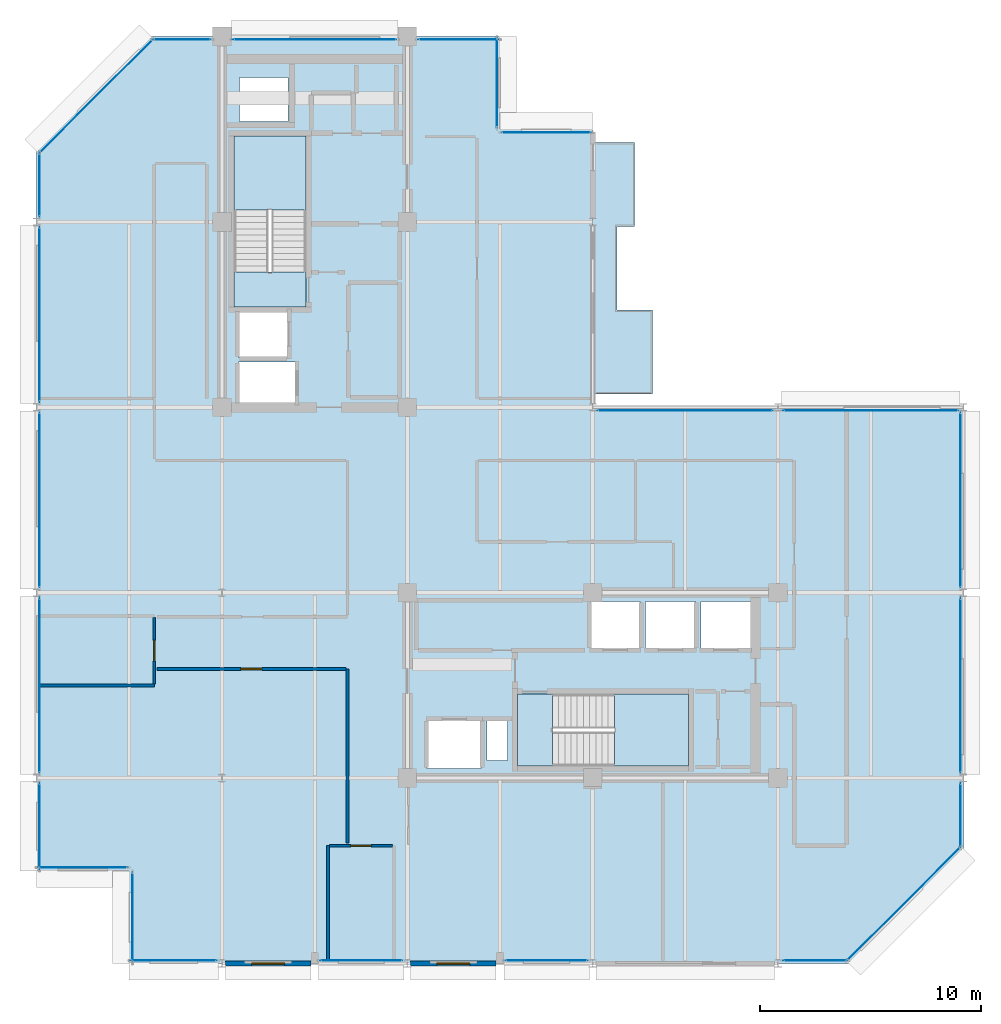
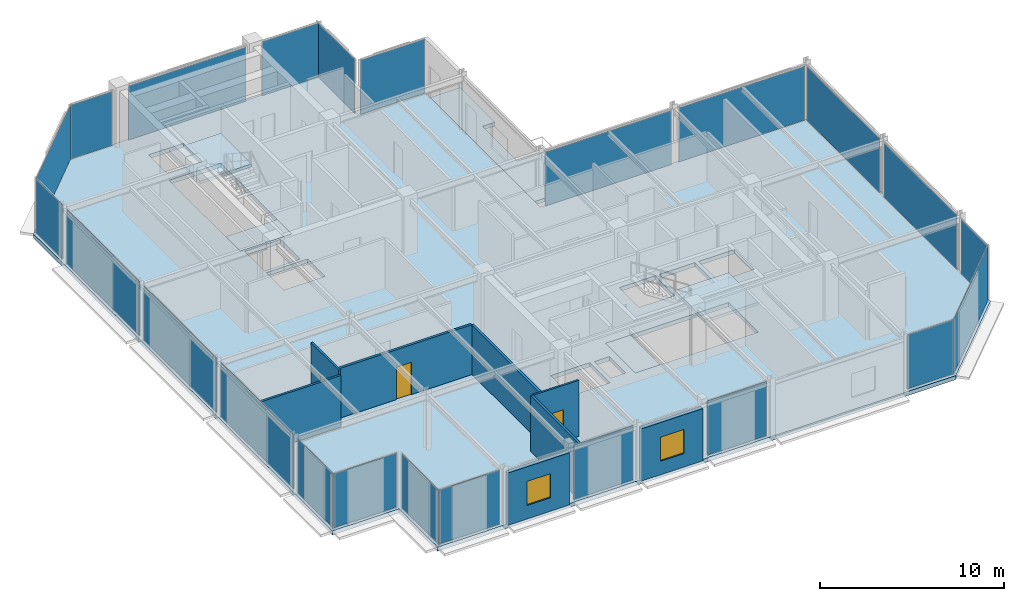
# One storey, part 20 of 27: 23 plates, 8 walls, 6 slabs, 3 doors, 2 windows, 5 openings, 25 elements without a shape of their own.
"""IFC4 building model written with IfcOpenShell, lengths in metres."""

from ifc_helpers import new_model, si_unit, direction, frame, frame_2d, origin, origin_2d, place, context, subcontext, project, spatial, polyline, rectangle, outline, extrude, material, layer, layer_set, type_object, element, fill, aggregate, save


model = new_model("IFC4")

# Units and contexts
model_context = context("Model", 3, precision=1e-05, world=origin(), true_north=direction((0.0, 1.0)))
body_context = subcontext(model_context, "Body", "Model", "MODEL_VIEW")
ifc_project = project(units=[si_unit("LENGTHUNIT", "METRE"), si_unit("AREAUNIT", "SQUARE_METRE"), si_unit("VOLUMEUNIT", "CUBIC_METRE"), si_unit("PLANEANGLEUNIT", "RADIAN"), si_unit("MASSUNIT", "GRAM", prefix="KILO")], contexts=[model_context])

# Site, building, storey
site_placement = place(None, origin())
site = spatial("IfcSite", under=ifc_project, at=site_placement, CompositionType="ELEMENT")
building_placement = place(site_placement, origin())
building = spatial("IfcBuilding", under=site, at=building_placement, Name="Nerrivon Quay Data Exchange", CompositionType="ELEMENT")
storey_placement = place(building_placement, frame((0.0, 0.0, 266.199951171875)))
storey = spatial("IfcBuildingStorey", under=building, at=storey_placement, Name="L63", CompositionType="ELEMENT", Elevation=266.199951171875)

# Curtain wall, plate
ifc_material_1 = material(Name="Anodised aluminium 6063-T6", Category="aluminium")
ifc_layer_1 = layer(ifc_material_1, 0.195068359375)
ifc_layer_set_1 = layer_set([ifc_layer_1], Name="Anodised aluminium 6063-T6")
curtain_wall_type = type_object("IfcCurtainWallType", Name="CW-SYS-06", PredefinedType="NOTDEFINED", material=ifc_layer_set_1)
curtain_wall_1_placement = place(storey_placement, origin())
curtain_wall_1 = element("IfcCurtainWall", 1, at=curtain_wall_1_placement, inside=storey, type_object=curtain_wall_type, Name="L63 Unitised Curtain Wall 1", PredefinedType="NOTDEFINED")
ifc_material_2 = material(Name="Double-glazed low-E solar control glass", Category="glass")
ifc_layer_2 = layer(ifc_material_2, 0.028076171875)
ifc_layer_set_2 = layer_set([ifc_layer_2], Name="Double-glazed low-E solar control glass")
plate_type = type_object("IfcPlateType", Name="CWP-GLZ-28", PredefinedType="CURTAIN_PANEL", material=ifc_layer_set_2)
plate_1_placement = place(storey_placement, frame((39.301025390625, 2.698974609375, 0.06494140625), z_axis=(0.0, 0.0, 1.0), x_axis=(-0.707106781187, -0.707106781187, 0.0)))
plate_1 = element("IfcPlate", 2, at=plate_1_placement, type_object=plate_type, Name="CW06 panel 1.1", PredefinedType="CURTAIN_PANEL", context=body_context, shape_type="SweptSolid", body=[
    extrude(rectangle(XDim=7.203857421875, YDim=0.028076171875, at=origin_2d()), origin(), (0.0, 0.0, 1.0), 3.594970703125),
])
aggregate(curtain_wall_1, [plate_1])

curtain_wall_2_placement = place(storey_placement, origin())
curtain_wall_2 = element("IfcCurtainWall", 3, at=curtain_wall_2_placement, inside=storey, type_object=curtain_wall_type, Name="L63 Unitised Curtain Wall 2", PredefinedType="NOTDEFINED")
plate_2_placement = place(storey_placement, frame((35.27783203125, 0.139892578125, 0.06494140625), z_axis=(0.0, 0.0, 1.0), x_axis=(-1.0, 0.0, 0.0)))
plate_2 = element("IfcPlate", 4, at=plate_2_placement, type_object=plate_type, Name="CW06 panel 1.1", PredefinedType="CURTAIN_PANEL", context=body_context, shape_type="SweptSolid", body=[
    extrude(rectangle(XDim=2.89453125, YDim=0.028076171875, at=origin_2d()), origin(), (0.0, 0.0, 1.0), 3.594970703125),
])
aggregate(curtain_wall_2, [plate_2])

curtain_wall_3_placement = place(storey_placement, origin())
curtain_wall_3 = element("IfcCurtainWall", 5, at=curtain_wall_3_placement, inside=storey, type_object=curtain_wall_type, Name="L63 Unitised Curtain Wall 4", PredefinedType="NOTDEFINED")
plate_3_placement = place(storey_placement, frame((23.10986328125, 0.139892578125, 0.06494140625), z_axis=(0.0, 0.0, 1.0), x_axis=(-1.0, 0.0, 0.0)))
plate_3 = element("IfcPlate", 6, at=plate_3_placement, type_object=plate_type, Name="CW06 panel 1.1", PredefinedType="CURTAIN_PANEL", context=body_context, shape_type="SweptSolid", body=[
    extrude(rectangle(XDim=3.719482421875, YDim=0.028076171875, at=origin_2d()), origin(), (0.0, 0.0, 1.0), 3.594970703125),
])
aggregate(curtain_wall_3, [plate_3])

curtain_wall_4_placement = place(storey_placement, origin())
curtain_wall_4 = element("IfcCurtainWall", 7, at=curtain_wall_4_placement, inside=storey, type_object=curtain_wall_type, Name="L63 Unitised Curtain Wall 6", PredefinedType="NOTDEFINED")
plate_4_placement = place(storey_placement, frame((14.709716796875, 0.139892578125, 0.06494140625), z_axis=(0.0, 0.0, 1.0), x_axis=(-1.0, 0.0, 0.0)))
plate_4 = element("IfcPlate", 8, at=plate_4_placement, type_object=plate_type, Name="CW06 panel 1.1", PredefinedType="CURTAIN_PANEL", context=body_context, shape_type="SweptSolid", body=[
    extrude(rectangle(XDim=3.719482421875, YDim=0.028076171875, at=origin_2d()), origin(), (0.0, 0.0, 1.0), 3.594970703125),
])
aggregate(curtain_wall_4, [plate_4])

curtain_wall_5_placement = place(storey_placement, origin())
curtain_wall_5 = element("IfcCurtainWall", 9, at=curtain_wall_5_placement, inside=storey, type_object=curtain_wall_type, Name="L63 Unitised Curtain Wall 8", PredefinedType="NOTDEFINED")
plate_5_placement = place(storey_placement, frame((6.22216796875, 0.139892578125, 0.06494140625), z_axis=(0.0, 0.0, 1.0), x_axis=(-1.0, 0.0, 0.0)))
plate_5 = element("IfcPlate", 10, at=plate_5_placement, type_object=plate_type, Name="CW06 panel 1.1", PredefinedType="CURTAIN_PANEL", context=body_context, shape_type="SweptSolid", body=[
    extrude(rectangle(XDim=3.89453125, YDim=0.028076171875, at=origin_2d()), origin(), (0.0, 0.0, 1.0), 3.594970703125),
])
aggregate(curtain_wall_5, [plate_5])

curtain_wall_6_placement = place(storey_placement, origin())
curtain_wall_6 = element("IfcCurtainWall", 11, at=curtain_wall_6_placement, inside=storey, type_object=curtain_wall_type, Name="L63 Unitised Curtain Wall 9", PredefinedType="NOTDEFINED")
plate_6_placement = place(storey_placement, frame((4.340087890625, 2.10009765625, 0.06494140625), z_axis=(0.0, 0.0, 1.0), x_axis=(0.0, 1.0, 0.0)))
plate_6 = element("IfcPlate", 12, at=plate_6_placement, type_object=plate_type, Name="CW06 panel 1.1", PredefinedType="CURTAIN_PANEL", context=body_context, shape_type="SweptSolid", body=[
    extrude(rectangle(XDim=4.050048828125, YDim=0.028076171875, at=origin_2d()), origin(), (0.0, 0.0, 1.0), 3.594970703125),
])
aggregate(curtain_wall_6, [plate_6])

curtain_wall_7_placement = place(storey_placement, origin())
curtain_wall_7 = element("IfcCurtainWall", 13, at=curtain_wall_7_placement, inside=storey, type_object=curtain_wall_type, Name="L63 Unitised Curtain Wall 10", PredefinedType="NOTDEFINED")
plate_7_placement = place(storey_placement, frame((2.10009765625, 4.340087890625, 0.06494140625), z_axis=(0.0, 0.0, 1.0), x_axis=(-1.0, 0.0, 0.0)))
plate_7 = element("IfcPlate", 14, at=plate_7_placement, type_object=plate_type, Name="CW06 panel 1.1", PredefinedType="CURTAIN_PANEL", context=body_context, shape_type="SweptSolid", body=[
    extrude(rectangle(XDim=4.050048828125, YDim=0.028076171875, at=origin_2d()), origin(), (0.0, 0.0, 1.0), 3.594970703125),
])
aggregate(curtain_wall_7, [plate_7])

curtain_wall_8_placement = place(storey_placement, origin())
curtain_wall_8 = element("IfcCurtainWall", 15, at=curtain_wall_8_placement, inside=storey, type_object=curtain_wall_type, Name="L63 Unitised Curtain Wall 11", PredefinedType="NOTDEFINED")
plate_8_placement = place(storey_placement, frame((0.139892578125, 6.21826171875, 0.06494140625), z_axis=(0.0, 0.0, 1.0), x_axis=(0.0, 1.0, 0.0)))
plate_8 = element("IfcPlate", 16, at=plate_8_placement, type_object=plate_type, Name="CW06 panel 1.1", PredefinedType="CURTAIN_PANEL", context=body_context, shape_type="SweptSolid", body=[
    extrude(rectangle(XDim=3.886474609375, YDim=0.028076171875, at=origin_2d()), origin(), (0.0, 0.0, 1.0), 3.594970703125),
])
aggregate(curtain_wall_8, [plate_8])

curtain_wall_9_placement = place(storey_placement, origin())
curtain_wall_9 = element("IfcCurtainWall", 17, at=curtain_wall_9_placement, inside=storey, type_object=curtain_wall_type, Name="L63 Unitised Curtain Wall 12", PredefinedType="NOTDEFINED")
plate_9_placement = place(storey_placement, frame((0.139892578125, 12.60009765625, 0.06494140625), z_axis=(0.0, 0.0, 1.0), x_axis=(0.0, 1.0, 0.0)))
plate_9 = element("IfcPlate", 18, at=plate_9_placement, type_object=plate_type, Name="CW06 panel 1.1", PredefinedType="CURTAIN_PANEL", context=body_context, shape_type="SweptSolid", body=[
    extrude(rectangle(XDim=7.923095703125, YDim=0.028076171875, at=origin_2d()), origin(), (0.0, 0.0, 1.0), 3.594970703125),
])
aggregate(curtain_wall_9, [plate_9])

curtain_wall_10_placement = place(storey_placement, origin())
curtain_wall_10 = element("IfcCurtainWall", 19, at=curtain_wall_10_placement, inside=storey, type_object=curtain_wall_type, Name="L63 Unitised Curtain Wall 13", PredefinedType="NOTDEFINED")
plate_10_placement = place(storey_placement, frame((0.139892578125, 21.0, 0.06494140625), z_axis=(0.0, 0.0, 1.0), x_axis=(0.0, 1.0, 0.0)))
plate_10 = element("IfcPlate", 20, at=plate_10_placement, type_object=plate_type, Name="CW06 panel 1.1", PredefinedType="CURTAIN_PANEL", context=body_context, shape_type="SweptSolid", body=[
    extrude(rectangle(XDim=7.923095703125, YDim=0.028076171875, at=origin_2d()), origin(), (0.0, 0.0, 1.0), 3.594970703125),
])
aggregate(curtain_wall_10, [plate_10])

curtain_wall_11_placement = place(storey_placement, origin())
curtain_wall_11 = element("IfcCurtainWall", 21, at=curtain_wall_11_placement, inside=storey, type_object=curtain_wall_type, Name="L63 Unitised Curtain Wall 14", PredefinedType="NOTDEFINED")
plate_11_placement = place(storey_placement, frame((0.139892578125, 29.39990234375, 0.06494140625), z_axis=(0.0, 0.0, 1.0), x_axis=(0.0, 1.0, 0.0)))
plate_11 = element("IfcPlate", 22, at=plate_11_placement, type_object=plate_type, Name="CW06 panel 1.1", PredefinedType="CURTAIN_PANEL", context=body_context, shape_type="SweptSolid", body=[
    extrude(rectangle(XDim=7.923095703125, YDim=0.028076171875, at=origin_2d()), origin(), (0.0, 0.0, 1.0), 3.594970703125),
])
aggregate(curtain_wall_11, [plate_11])

curtain_wall_12_placement = place(storey_placement, origin())
curtain_wall_12 = element("IfcCurtainWall", 23, at=curtain_wall_12_placement, inside=storey, type_object=curtain_wall_type, Name="L63 Unitised Curtain Wall 15", PredefinedType="NOTDEFINED")
plate_12_placement = place(storey_placement, frame((0.139892578125, 35.28173828125, 0.06494140625), z_axis=(0.0, 0.0, 1.0), x_axis=(0.0, 1.0, 0.0)))
plate_12 = element("IfcPlate", 24, at=plate_12_placement, type_object=plate_type, Name="CW06 panel 1.1", PredefinedType="CURTAIN_PANEL", context=body_context, shape_type="SweptSolid", body=[
    extrude(rectangle(XDim=2.886474609375, YDim=0.028076171875, at=origin_2d()), origin(), (0.0, 0.0, 1.0), 3.594970703125),
])
aggregate(curtain_wall_12, [plate_12])

curtain_wall_13_placement = place(storey_placement, origin())
curtain_wall_13 = element("IfcCurtainWall", 25, at=curtain_wall_13_placement, inside=storey, type_object=curtain_wall_type, Name="L63 Unitised Curtain Wall 16", PredefinedType="NOTDEFINED")
plate_13_placement = place(storey_placement, frame((2.698974609375, 39.301025390625, 0.06494140625), z_axis=(0.0, 0.0, 1.0), x_axis=(0.707106781187, 0.707106781187, 0.0)))
plate_13 = element("IfcPlate", 26, at=plate_13_placement, type_object=plate_type, Name="CW06 panel 1.1", PredefinedType="CURTAIN_PANEL", context=body_context, shape_type="SweptSolid", body=[
    extrude(rectangle(XDim=7.203857421875, YDim=0.028076171875, at=origin_2d()), origin(), (0.0, 0.0, 1.0), 3.594970703125),
])
aggregate(curtain_wall_13, [plate_13])

curtain_wall_14_placement = place(storey_placement, origin())
curtain_wall_14 = element("IfcCurtainWall", 27, at=curtain_wall_14_placement, inside=storey, type_object=curtain_wall_type, Name="L63 Unitised Curtain Wall 17", PredefinedType="NOTDEFINED")
plate_14_placement = place(storey_placement, frame((6.58740234375, 41.860107421875, 0.06494140625), z_axis=(0.0, 0.0, 1.0), x_axis=(1.0, 0.0, 0.0)))
plate_14 = element("IfcPlate", 28, at=plate_14_placement, type_object=plate_type, Name="CW06 panel 1.1", PredefinedType="CURTAIN_PANEL", context=body_context, shape_type="SweptSolid", body=[
    extrude(rectangle(XDim=2.625, YDim=0.028076171875, at=origin_2d()), origin(), (0.0, 0.0, 1.0), 3.594970703125),
])
aggregate(curtain_wall_14, [plate_14])

curtain_wall_15_placement = place(storey_placement, origin())
curtain_wall_15 = element("IfcCurtainWall", 29, at=curtain_wall_15_placement, inside=storey, type_object=curtain_wall_type, Name="L63 Unitised Curtain Wall 18", PredefinedType="NOTDEFINED")
plate_15_placement = place(storey_placement, frame((12.60009765625, 41.860107421875, 0.06494140625), z_axis=(0.0, 0.0, 1.0), x_axis=(1.0, 0.0, 0.0)))
plate_15 = element("IfcPlate", 30, at=plate_15_placement, type_object=plate_type, Name="CW06 panel 1.1", PredefinedType="CURTAIN_PANEL", context=body_context, shape_type="SweptSolid", body=[
    extrude(rectangle(XDim=7.39990234375, YDim=0.028076171875, at=origin_2d()), origin(), (0.0, 0.0, 1.0), 3.594970703125),
])
aggregate(curtain_wall_15, [plate_15])

curtain_wall_16_placement = place(storey_placement, origin())
curtain_wall_16 = element("IfcCurtainWall", 31, at=curtain_wall_16_placement, inside=storey, type_object=curtain_wall_type, Name="L63 Unitised Curtain Wall 19", PredefinedType="NOTDEFINED")
plate_16_placement = place(storey_placement, frame((19.112548828125, 41.860107421875, 0.06494140625), z_axis=(0.0, 0.0, 1.0), x_axis=(1.0, 0.0, 0.0)))
plate_16 = element("IfcPlate", 32, at=plate_16_placement, type_object=plate_type, Name="CW06 panel 1.1", PredefinedType="CURTAIN_PANEL", context=body_context, shape_type="SweptSolid", body=[
    extrude(rectangle(XDim=3.625, YDim=0.028076171875, at=origin_2d()), origin(), (0.0, 0.0, 1.0), 3.594970703125),
])
aggregate(curtain_wall_16, [plate_16])

curtain_wall_17_placement = place(storey_placement, origin())
curtain_wall_17 = element("IfcCurtainWall", 33, at=curtain_wall_17_placement, inside=storey, type_object=curtain_wall_type, Name="L63 Unitised Curtain Wall 20", PredefinedType="NOTDEFINED")
plate_17_placement = place(storey_placement, frame((20.860107421875, 39.89990234375, 0.06494140625), z_axis=(0.0, 0.0, 1.0), x_axis=(0.0, -1.0, 0.0)))
plate_17 = element("IfcPlate", 34, at=plate_17_placement, type_object=plate_type, Name="CW06 panel 1.1", PredefinedType="CURTAIN_PANEL", context=body_context, shape_type="SweptSolid", body=[
    extrude(rectangle(XDim=4.050048828125, YDim=0.028076171875, at=origin_2d()), origin(), (0.0, 0.0, 1.0), 3.594970703125),
])
aggregate(curtain_wall_17, [plate_17])

curtain_wall_18_placement = place(storey_placement, origin())
curtain_wall_18 = element("IfcCurtainWall", 35, at=curtain_wall_18_placement, inside=storey, type_object=curtain_wall_type, Name="L63 Unitised Curtain Wall 21", PredefinedType="NOTDEFINED")
plate_18_placement = place(storey_placement, frame((23.10009765625, 37.659912109375, 0.06494140625), z_axis=(0.0, 0.0, 1.0), x_axis=(1.0, 0.0, 0.0)))
plate_18 = element("IfcPlate", 36, at=plate_18_placement, type_object=plate_type, Name="CW06 panel 1.1", PredefinedType="CURTAIN_PANEL", context=body_context, shape_type="SweptSolid", body=[
    extrude(rectangle(XDim=4.050048828125, YDim=0.028076171875, at=origin_2d()), origin(), (0.0, 0.0, 1.0), 3.594970703125),
])
aggregate(curtain_wall_18, [plate_18])

curtain_wall_19_placement = place(storey_placement, origin())
curtain_wall_19 = element("IfcCurtainWall", 37, at=curtain_wall_19_placement, inside=storey, type_object=curtain_wall_type, Name="L63 Unitised Curtain Wall 24", PredefinedType="NOTDEFINED")
plate_19_placement = place(storey_placement, frame((29.39990234375, 25.06005859375, 0.06494140625), z_axis=(0.0, 0.0, 1.0), x_axis=(1.0, 0.0, 0.0)))
plate_19 = element("IfcPlate", 38, at=plate_19_placement, type_object=plate_type, Name="CW06 panel 1.1", PredefinedType="CURTAIN_PANEL", context=body_context, shape_type="SweptSolid", body=[
    extrude(rectangle(XDim=7.93896484375, YDim=0.028076171875, at=origin_2d()), origin(), (0.0, 0.0, 1.0), 3.594970703125),
])
aggregate(curtain_wall_19, [plate_19])

curtain_wall_20_placement = place(storey_placement, origin())
curtain_wall_20 = element("IfcCurtainWall", 39, at=curtain_wall_20_placement, inside=storey, type_object=curtain_wall_type, Name="L63 Unitised Curtain Wall 25", PredefinedType="NOTDEFINED")
plate_20_placement = place(storey_placement, frame((37.800048828125, 25.06005859375, 0.06494140625), z_axis=(0.0, 0.0, 1.0), x_axis=(1.0, 0.0, 0.0)))
plate_20 = element("IfcPlate", 40, at=plate_20_placement, type_object=plate_type, Name="CW06 panel 1.1", PredefinedType="CURTAIN_PANEL", context=body_context, shape_type="SweptSolid", body=[
    extrude(rectangle(XDim=7.93896484375, YDim=0.028076171875, at=origin_2d()), origin(), (0.0, 0.0, 1.0), 3.594970703125),
])
aggregate(curtain_wall_20, [plate_20])

curtain_wall_21_placement = place(storey_placement, origin())
curtain_wall_21 = element("IfcCurtainWall", 41, at=curtain_wall_21_placement, inside=storey, type_object=curtain_wall_type, Name="L63 Unitised Curtain Wall 26", PredefinedType="NOTDEFINED")
plate_21_placement = place(storey_placement, frame((41.860107421875, 21.0, 0.06494140625), z_axis=(0.0, 0.0, 1.0), x_axis=(0.0, -1.0, 0.0)))
plate_21 = element("IfcPlate", 42, at=plate_21_placement, type_object=plate_type, Name="CW06 panel 1.1", PredefinedType="CURTAIN_PANEL", context=body_context, shape_type="SweptSolid", body=[
    extrude(rectangle(XDim=7.923095703125, YDim=0.028076171875, at=origin_2d()), origin(), (0.0, 0.0, 1.0), 3.594970703125),
])
aggregate(curtain_wall_21, [plate_21])

curtain_wall_22_placement = place(storey_placement, origin())
curtain_wall_22 = element("IfcCurtainWall", 43, at=curtain_wall_22_placement, inside=storey, type_object=curtain_wall_type, Name="L63 Unitised Curtain Wall 27", PredefinedType="NOTDEFINED")
plate_22_placement = place(storey_placement, frame((41.860107421875, 12.60009765625, 0.06494140625), z_axis=(0.0, 0.0, 1.0), x_axis=(0.0, -1.0, 0.0)))
plate_22 = element("IfcPlate", 44, at=plate_22_placement, type_object=plate_type, Name="CW06 panel 1.1", PredefinedType="CURTAIN_PANEL", context=body_context, shape_type="SweptSolid", body=[
    extrude(rectangle(XDim=7.923095703125, YDim=0.028076171875, at=origin_2d()), origin(), (0.0, 0.0, 1.0), 3.594970703125),
])
aggregate(curtain_wall_22, [plate_22])

curtain_wall_23_placement = place(storey_placement, origin())
curtain_wall_23 = element("IfcCurtainWall", 45, at=curtain_wall_23_placement, inside=storey, type_object=curtain_wall_type, Name="L63 Unitised Curtain Wall 28", PredefinedType="NOTDEFINED")
plate_23_placement = place(storey_placement, frame((41.860107421875, 6.71826171875, 0.06494140625), z_axis=(0.0, 0.0, 1.0), x_axis=(0.0, -1.0, 0.0)))
plate_23 = element("IfcPlate", 46, at=plate_23_placement, type_object=plate_type, Name="CW06 panel 1.1", PredefinedType="CURTAIN_PANEL", context=body_context, shape_type="SweptSolid", body=[
    extrude(rectangle(XDim=2.886474609375, YDim=0.028076171875, at=origin_2d()), origin(), (0.0, 0.0, 1.0), 3.594970703125),
])
aggregate(curtain_wall_23, [plate_23])

# Slab
ifc_material_3 = material(Name="Precast white architectural concrete N50 (50 MPa)", Category="concrete")
ifc_layer_3 = layer(ifc_material_3, 0.25)
ifc_layer_set_3 = layer_set([ifc_layer_3], Name="Precast white architectural concrete N50 (50 MPa)")
slab_type_1 = type_object("IfcSlabType", Name="SLB-BAL-250", PredefinedType="FLOOR", material=ifc_layer_set_3)
slab_1_placement = place(storey_placement, frame((0.0, 0.0, -0.25)))
element("IfcSlab", 47, at=slab_1_placement, inside=storey, type_object=slab_type_1, Name="L63 Waterfront Subtropical Verandah", PredefinedType="FLOOR", context=body_context, shape_type="SweptSolid", body=[
    extrude(outline(polyline([(26.300048828125, 29.60009765625), (26.300048828125, 33.39990234375), (27.10009765625, 33.39990234375), (27.10009765625, 37.199951171875), (25.199951171875, 37.199951171875), (25.199951171875, 33.39990234375), (25.199951171875, 29.60009765625), (25.199951171875, 25.800048828125), (27.89990234375, 25.800048828125), (27.89990234375, 29.60009765625), (26.300048828125, 29.60009765625)])), origin(), (0.0, 0.0, 1.0), 0.25),
])

# Stair, slab
ifc_material_4 = material(Name="Concrete N50 (50 MPa)", Category="concrete")
stair_type = type_object("IfcStairType", Name="STAIR-DOG-40", PredefinedType="HALF_TURN_STAIR", material=ifc_material_4)
stair_1_placement = place(storey_placement, origin())
stair_1 = element("IfcStair", 48, at=stair_1_placement, inside=storey, type_object=stair_type, Name="L63 West Core Fire Stair ST01", PredefinedType="HALF_TURN_STAIR")
ifc_layer_4 = layer(ifc_material_4, 0.199951171875)
ifc_layer_set_4 = layer_set([ifc_layer_4], Name="Concrete N50 (50 MPa)")
slab_type_2 = type_object("IfcSlabType", Name="SLB-LAND-200", PredefinedType="LANDING", material=ifc_layer_set_4)
slab_2_placement = place(storey_placement, frame((0.0, 0.0, 1.800048828125)))
slab_2 = element("IfcSlab", 49, at=slab_2_placement, type_object=slab_type_2, Name="ST01 landing 1", PredefinedType="LANDING", context=body_context, shape_type="SweptSolid", body=[
    extrude(outline(polyline([(12.199951171875, 34.1298828125), (12.199951171875, 37.5), (8.949951171875, 37.5), (8.949951171875, 34.1298828125), (12.199951171875, 34.1298828125)])), origin(), (0.0, 0.0, 1.0), 0.199951171875),
])
aggregate(stair_1, [slab_2])

# Slab
slab_3_placement = place(storey_placement, frame((0.0, 0.0, -0.199951171875)))
element("IfcSlab", 50, at=slab_3_placement, inside=storey, type_object=slab_type_2, Name="L63 ST01 floor landing", PredefinedType="LANDING", context=body_context, shape_type="SweptSolid", body=[
    extrude(outline(polyline([(12.199951171875, 29.75), (12.199951171875, 31.330078125), (8.949951171875, 31.330078125), (8.949951171875, 29.75), (12.199951171875, 29.75)])), origin(), (0.0, 0.0, 1.0), 0.199951171875),
])

# Stair, slab
stair_2_placement = place(storey_placement, origin())
stair_2 = element("IfcStair", 51, at=stair_2_placement, inside=storey, type_object=stair_type, Name="L63 East Core Fire Stair ST02", PredefinedType="HALF_TURN_STAIR")
slab_4_placement = place(storey_placement, frame((0.0, 0.0, 1.800048828125)))
slab_4 = element("IfcSlab", 52, at=slab_4_placement, type_object=slab_type_2, Name="ST02 landing 1", PredefinedType="LANDING", context=body_context, shape_type="SweptSolid", body=[
    extrude(outline(polyline([(26.179931640625, 8.949951171875), (29.550048828125, 8.949951171875), (29.550048828125, 12.199951171875), (26.179931640625, 12.199951171875), (26.179931640625, 8.949951171875)])), origin(), (0.0, 0.0, 1.0), 0.199951171875),
])
aggregate(stair_2, [slab_4])

# Slabs
slab_5_placement = place(storey_placement, frame((0.0, 0.0, -0.199951171875)))
element("IfcSlab", 53, at=slab_5_placement, inside=storey, type_object=slab_type_2, Name="L63 ST02 floor landing", PredefinedType="LANDING", context=body_context, shape_type="SweptSolid", body=[
    extrude(outline(polyline([(21.800048828125, 8.949951171875), (23.3798828125, 8.949951171875), (23.3798828125, 12.199951171875), (21.800048828125, 12.199951171875), (21.800048828125, 8.949951171875)])), origin(), (0.0, 0.0, 1.0), 0.199951171875),
])
ifc_layer_5 = layer(ifc_material_4, 0.27490234375)
ifc_layer_set_5 = layer_set([ifc_layer_5], Name="Concrete N50 (50 MPa)")
slab_type_3 = type_object("IfcSlabType", Name="SLB-TOW-275", PredefinedType="FLOOR", material=ifc_layer_set_5)
slab_6_placement = place(storey_placement, frame((0.0, 0.0, -0.27490234375)))
element("IfcSlab", 54, at=slab_6_placement, inside=storey, type_object=slab_type_3, Name="L63 Primary Structural Slab", PredefinedType="FLOOR", context=body_context, shape_type="SweptSolid", body=[
    extrude(outline(polyline([(42.0, 25.199951171875), (25.199951171875, 25.199951171875), (25.199951171875, 37.800048828125), (21.0, 37.800048828125), (21.0, 42.0), (5.199951171875, 42.0), (0.0, 36.800048828125), (0.0, 4.199951171875), (4.199951171875, 4.199951171875), (4.199951171875, 0.0), (36.800048828125, 0.0), (42.0, 5.199951171875), (42.0, 25.199951171875)]), holes=[polyline([(8.949951171875, 29.75), (8.949951171875, 37.5), (12.199951171875, 37.5), (12.199951171875, 29.75), (8.949951171875, 29.75)]), polyline([(21.800048828125, 12.199951171875), (29.550048828125, 12.199951171875), (29.550048828125, 8.949951171875), (21.800048828125, 8.949951171875), (21.800048828125, 12.199951171875)]), polyline([(30.10009765625, 14.25), (30.10009765625, 16.39990234375), (32.35009765625, 16.39990234375), (32.35009765625, 14.25), (30.10009765625, 14.25)]), polyline([(27.60009765625, 14.25), (27.60009765625, 16.39990234375), (29.85009765625, 16.39990234375), (29.85009765625, 14.25), (27.60009765625, 14.25)]), polyline([(25.10009765625, 14.25), (25.10009765625, 16.39990234375), (27.35009765625, 16.39990234375), (27.35009765625, 14.25), (25.10009765625, 14.25)]), polyline([(20.39990234375, 9.199951171875), (20.39990234375, 11.0), (21.35009765625, 11.0), (21.35009765625, 9.199951171875), (20.39990234375, 9.199951171875)]), polyline([(17.699951171875, 8.830078125), (17.699951171875, 11.030029296875), (20.14990234375, 11.030029296875), (20.14990234375, 8.830078125), (17.699951171875, 8.830078125)]), polyline([(9.14990234375, 25.35009765625), (9.14990234375, 27.25), (11.75, 27.25), (11.75, 25.35009765625), (9.14990234375, 25.35009765625)]), polyline([(9.14990234375, 27.449951171875), (9.14990234375, 29.60009765625), (11.39990234375, 29.60009765625), (11.39990234375, 27.449951171875), (9.14990234375, 27.449951171875)]), polyline([(9.199951171875, 38.14990234375), (9.199951171875, 40.14990234375), (11.39990234375, 40.14990234375), (11.39990234375, 38.14990234375), (9.199951171875, 38.14990234375)])]), origin(), (0.0, 0.0, 1.0), 0.27490234375),
])

# Wall, opening, window
ifc_material_5 = material(Name="Architectural terracotta precast concrete N50 (50 MPa)", Category="masonry")
ifc_layer_6 = layer(ifc_material_5, 0.239990234375)
ifc_layer_set_6 = layer_set([ifc_layer_6], Name="Architectural terracotta precast concrete N50 (50 MPa)")
wall_type_1 = type_object("IfcWallType", Name="EW-PREC-240", PredefinedType="STANDARD", material=ifc_layer_set_6)
wall_1_placement = place(storey_placement, frame((20.824951171875, 0.0, 0.0), z_axis=(0.0, 0.0, 1.0), x_axis=(-1.0, 0.0, 0.0)))
wall_1 = element("IfcWall", 55, at=wall_1_placement, inside=storey, type_object=wall_type_1, Name="L63 Podium Precast Spandrel Wall 5", PredefinedType="STANDARD", context=body_context, shape_type="SweptSolid", body=[
    extrude(rectangle(XDim=3.869384765625, YDim=0.239990234375, at=frame_2d((1.9345703125, 0.0))), origin(), (0.0, 0.0, 1.0), 3.47509765625),
])
opening_1_placement = place(wall_1_placement, frame((1.184814453125, 0.0, 0.89990234375)))
opening_1 = element("IfcOpeningElement", 56, at=opening_1_placement, cuts=wall_1, Name="Opening WN4", PredefinedType="OPENING", context=body_context, shape_type="SweptSolid", body=[
    extrude(rectangle(XDim=1.5, YDim=1.60009765625, at=frame_2d((0.75, 0.800048828125))), frame((0.0, 0.1298828125, 0.0), z_axis=(0.0, -1.0, 0.0), x_axis=(1.0, 0.0, 0.0)), (0.0, 0.0, 1.0), 0.260009765625),
])
window_type = type_object("IfcWindowType", Name="WIN-W4-1500x1600", PartitioningType="SINGLE_PANEL", PredefinedType="WINDOW", material=ifc_material_2)
window_1_placement = place(opening_1_placement, origin())
window_1 = element("IfcWindow", 57, at=window_1_placement, inside=storey, type_object=window_type, Name="L63 Solar Facade Window 5", OverallHeight=1.60009765625, OverallWidth=1.5, PartitioningType="SINGLE_PANEL", PredefinedType="WINDOW", context=body_context, shape_type="SweptSolid", body=[
    extrude(rectangle(XDim=1.5, YDim=1.60009765625, at=frame_2d((0.75, 0.800048828125))), frame((0.0, 0.030029296875, 0.0), z_axis=(0.0, -1.0, 0.0), x_axis=(1.0, 0.0, 0.0)), (0.0, 0.0, 1.0), 0.06005859375),
])
fill(opening_1, window_1)

wall_2_placement = place(storey_placement, frame((12.425048828125, 0.0, 0.0), z_axis=(0.0, 0.0, 1.0), x_axis=(-1.0, 0.0, 0.0)))
wall_2 = element("IfcWall", 58, at=wall_2_placement, inside=storey, type_object=wall_type_1, Name="L63 Podium Precast Spandrel Wall 7", PredefinedType="STANDARD", context=body_context, shape_type="SweptSolid", body=[
    extrude(rectangle(XDim=3.86962890625, YDim=0.239990234375, at=frame_2d((1.934814453125, 0.0))), origin(), (0.0, 0.0, 1.0), 3.47509765625),
])
opening_2_placement = place(wall_2_placement, frame((1.184814453125, 0.0, 0.89990234375)))
opening_2 = element("IfcOpeningElement", 59, at=opening_2_placement, cuts=wall_2, Name="Opening WN4", PredefinedType="OPENING", context=body_context, shape_type="SweptSolid", body=[
    extrude(rectangle(XDim=1.5, YDim=1.60009765625, at=frame_2d((0.75, 0.800048828125))), frame((0.0, 0.1298828125, 0.0), z_axis=(0.0, -1.0, 0.0), x_axis=(1.0, 0.0, 0.0)), (0.0, 0.0, 1.0), 0.260009765625),
])
window_2_placement = place(opening_2_placement, origin())
window_2 = element("IfcWindow", 60, at=window_2_placement, inside=storey, type_object=window_type, Name="L63 Solar Facade Window 7", OverallHeight=1.60009765625, OverallWidth=1.5, PartitioningType="SINGLE_PANEL", PredefinedType="WINDOW", context=body_context, shape_type="SweptSolid", body=[
    extrude(rectangle(XDim=1.5, YDim=1.60009765625, at=frame_2d((0.75, 0.800048828125))), frame((0.0, 0.030029296875, 0.0), z_axis=(0.0, -1.0, 0.0), x_axis=(1.0, 0.0, 0.0)), (0.0, 0.0, 1.0), 0.06005859375),
])
fill(opening_2, window_2)

# Wall, opening, door
ifc_material_6 = material(Name="Gypsum plasterboard on cold-formed framing", Category="gypsum")
ifc_layer_7 = layer(ifc_material_6, 0.1201171875)
ifc_layer_set_7 = layer_set([ifc_layer_7], Name="Gypsum plasterboard on cold-formed framing")
wall_type_2 = type_object("IfcWallType", Name="WALL-PT-120", PredefinedType="PARTITIONING", material=ifc_layer_set_7)
wall_3_placement = place(storey_placement, frame((5.340087890625, 12.67138671875, 0.0), z_axis=(0.0, 0.0, 1.0), x_axis=(0.0, 1.0, 0.0)))
wall_3 = element("IfcWall", 61, at=wall_3_placement, inside=storey, type_object=wall_type_2, Name="L63 Partition Accessible Toilet", PredefinedType="PARTITIONING", context=body_context, shape_type="SweptSolid", body=[
    extrude(rectangle(XDim=3.007080078125, YDim=0.1201171875, at=frame_2d((1.50341796875, 0.0))), origin(), (0.0, 0.0, 1.0), 3.72509765625),
])
opening_3_placement = place(wall_3_placement, frame((1.04345703125, 0.0, 0.0)))
opening_3 = element("IfcOpeningElement", 62, at=opening_3_placement, cuts=wall_3, Name="Opening D-WC", PredefinedType="OPENING", context=body_context, shape_type="SweptSolid", body=[
    extrude(rectangle(XDim=0.919921875, YDim=2.10009765625, at=frame_2d((0.4599609375, 1.050048828125))), frame((0.0, 0.070068359375, 0.0), z_axis=(0.0, -1.0, 0.0), x_axis=(1.0, 0.0, 0.0)), (0.0, 0.0, 1.0), 0.14013671875),
])
ifc_material_7 = material(Name="Engineered hardwood timber", Category="wood")
door_type_1 = type_object("IfcDoorType", Name="DR-WC-920", OperationType="NOTDEFINED", PredefinedType="DOOR", material=ifc_material_7)
door_1_placement = place(opening_3_placement, origin())
door_1 = element("IfcDoor", 63, at=door_1_placement, inside=storey, type_object=door_type_1, Name="L63 Door Accessible Toilet", OperationType="SINGLE_SWING_RIGHT", OverallHeight=2.10009765625, OverallWidth=0.919921875, PredefinedType="DOOR", context=body_context, shape_type="SweptSolid", body=[
    extrude(rectangle(XDim=0.919921875, YDim=2.10009765625, at=frame_2d((0.4599609375, 1.050048828125))), frame((0.0, 0.02490234375, 0.0), z_axis=(0.0, -1.0, 0.0), x_axis=(1.0, 0.0, 0.0)), (0.0, 0.0, 1.0), 0.050048828125),
])
fill(opening_3, door_1)

wall_4_placement = place(storey_placement, frame((16.12841796875, 5.340087890625, 0.0), z_axis=(0.0, 0.0, 1.0), x_axis=(-1.0, 0.0, 0.0)))
wall_4 = element("IfcWall", 64, at=wall_4_placement, inside=storey, type_object=wall_type_2, Name="L63 Partition Public Washrooms", PredefinedType="PARTITIONING", context=body_context, shape_type="SweptSolid", body=[
    extrude(rectangle(XDim=2.85693359375, YDim=0.1201171875, at=frame_2d((1.428466796875, 0.0))), origin(), (0.0, 0.0, 1.0), 3.72509765625),
])
opening_4_placement = place(wall_4_placement, frame((0.968505859375, 0.0, 0.0)))
opening_4 = element("IfcOpeningElement", 65, at=opening_4_placement, cuts=wall_4, Name="Opening D-WC", PredefinedType="OPENING", context=body_context, shape_type="SweptSolid", body=[
    extrude(rectangle(XDim=0.919921875, YDim=2.10009765625, at=frame_2d((0.4599609375, 1.050048828125))), frame((0.0, 0.070068359375, 0.0), z_axis=(0.0, -1.0, 0.0), x_axis=(1.0, 0.0, 0.0)), (0.0, 0.0, 1.0), 0.14013671875),
])
door_2_placement = place(opening_4_placement, origin())
door_2 = element("IfcDoor", 66, at=door_2_placement, inside=storey, type_object=door_type_1, Name="L63 Door Public Washrooms", OperationType="SINGLE_SWING_LEFT", OverallHeight=2.10009765625, OverallWidth=0.919921875, PredefinedType="DOOR", context=body_context, shape_type="SweptSolid", body=[
    extrude(rectangle(XDim=0.919921875, YDim=2.10009765625, at=frame_2d((0.4599609375, 1.050048828125))), frame((0.0, 0.02490234375, 0.0), z_axis=(0.0, -1.0, 0.0), x_axis=(1.0, 0.0, 0.0)), (0.0, 0.0, 1.0), 0.050048828125),
])
fill(opening_4, door_2)

# Walls
ifc_layer_8 = layer(ifc_material_6, 0.135009765625)
ifc_layer_set_8 = layer_set([ifc_layer_8], Name="Gypsum plasterboard on cold-formed framing")
wall_type_3 = type_object("IfcWallType", Name="WALL-PT-135", PredefinedType="PARTITIONING", material=ifc_layer_set_8)
wall_5_placement = place(storey_placement, frame((0.1689453125, 12.60009765625, 0.0), z_axis=(0.0, 0.0, 1.0), x_axis=(1.0, 0.0, 0.0)))
element("IfcWall", 67, at=wall_5_placement, inside=storey, type_object=wall_type_3, Name="L63 Partition Accessible Toilet", PredefinedType="PARTITIONING", context=body_context, shape_type="SweptSolid", body=[
    extrude(rectangle(XDim=5.171142578125, YDim=0.135009765625, at=frame_2d((2.58544921875, 0.0))), origin(), (0.0, 0.0, 1.0), 3.421142578125),
])
wall_6_placement = place(storey_placement, frame((13.199951171875, 5.340087890625, 0.0), z_axis=(0.0, 0.0, 1.0), x_axis=(0.0, -1.0, 0.0)))
element("IfcWall", 68, at=wall_6_placement, inside=storey, type_object=wall_type_3, Name="L63 Partition Public Washrooms", PredefinedType="PARTITIONING", context=body_context, shape_type="SweptSolid", body=[
    extrude(rectangle(XDim=5.171142578125, YDim=0.135009765625, at=frame_2d((2.58544921875, 0.0))), origin(), (0.0, 0.0, 1.0), 3.72509765625),
])
ifc_layer_9 = layer(ifc_material_6, 0.14990234375)
ifc_layer_set_9 = layer_set([ifc_layer_9], Name="Gypsum plasterboard on cold-formed framing")
wall_type_4 = type_object("IfcWallType", Name="WALL-PT-150", PredefinedType="PARTITIONING", material=ifc_layer_set_9)
wall_7_placement = place(storey_placement, frame((14.090087890625, 5.4599609375, 0.0), z_axis=(0.0, 0.0, 1.0), x_axis=(0.0, 1.0, 0.0)))
element("IfcWall", 69, at=wall_7_placement, inside=storey, type_object=wall_type_4, Name="L63 Partition Peering Day Lounge", PredefinedType="PARTITIONING", context=body_context, shape_type="SweptSolid", body=[
    extrude(rectangle(XDim=7.880126953125, YDim=0.14990234375, at=frame_2d((3.93994140625, 0.0))), origin(), (0.0, 0.0, 1.0), 3.27099609375),
])

# Wall, opening, door
wall_8_placement = place(storey_placement, frame((14.010986328125, 13.340087890625, 0.0), z_axis=(0.0, 0.0, 1.0), x_axis=(-1.0, 0.0, 0.0)))
wall_8 = element("IfcWall", 70, at=wall_8_placement, inside=storey, type_object=wall_type_4, Name="L63 Partition Peering Day Lounge", PredefinedType="PARTITIONING", context=body_context, shape_type="SweptSolid", body=[
    extrude(rectangle(XDim=8.551025390625, YDim=0.14990234375, at=frame_2d((4.275390625, 0.0))), origin(), (0.0, 0.0, 1.0), 3.319091796875),
])
opening_5_placement = place(wall_8_placement, frame((3.800537109375, 0.0, 0.0)))
opening_5 = element("IfcOpeningElement", 71, at=opening_5_placement, cuts=wall_8, Name="Opening D-01", PredefinedType="OPENING", context=body_context, shape_type="SweptSolid", body=[
    extrude(rectangle(XDim=0.949951171875, YDim=2.14990234375, at=frame_2d((0.47509765625, 1.074951171875))), frame((0.0, 0.0849609375, 0.0), z_axis=(0.0, -1.0, 0.0), x_axis=(1.0, 0.0, 0.0)), (0.0, 0.0, 1.0), 0.169921875),
])
door_type_2 = type_object("IfcDoorType", Name="DR-INT-950", OperationType="NOTDEFINED", PredefinedType="DOOR", material=ifc_material_7)
door_3_placement = place(opening_5_placement, origin())
door_3 = element("IfcDoor", 72, at=door_3_placement, inside=storey, type_object=door_type_2, Name="L63 Door Peering Day Lounge", OperationType="SINGLE_SWING_RIGHT", OverallHeight=2.14990234375, OverallWidth=0.949951171875, PredefinedType="DOOR", context=body_context, shape_type="SweptSolid", body=[
    extrude(rectangle(XDim=0.949951171875, YDim=2.14990234375, at=frame_2d((0.47509765625, 1.074951171875))), frame((0.0, 0.02490234375, 0.0), z_axis=(0.0, -1.0, 0.0), x_axis=(1.0, 0.0, 0.0)), (0.0, 0.0, 1.0), 0.050048828125),
])
fill(opening_5, door_3)

save(model, "model.ifc")
